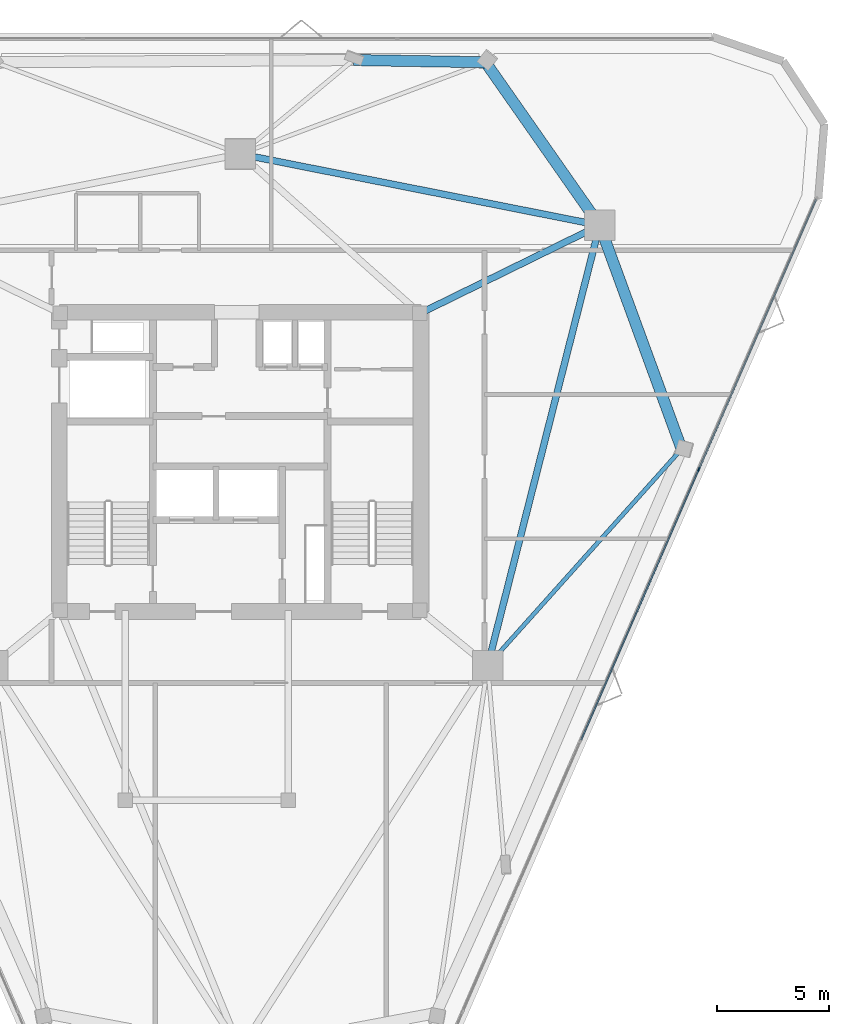
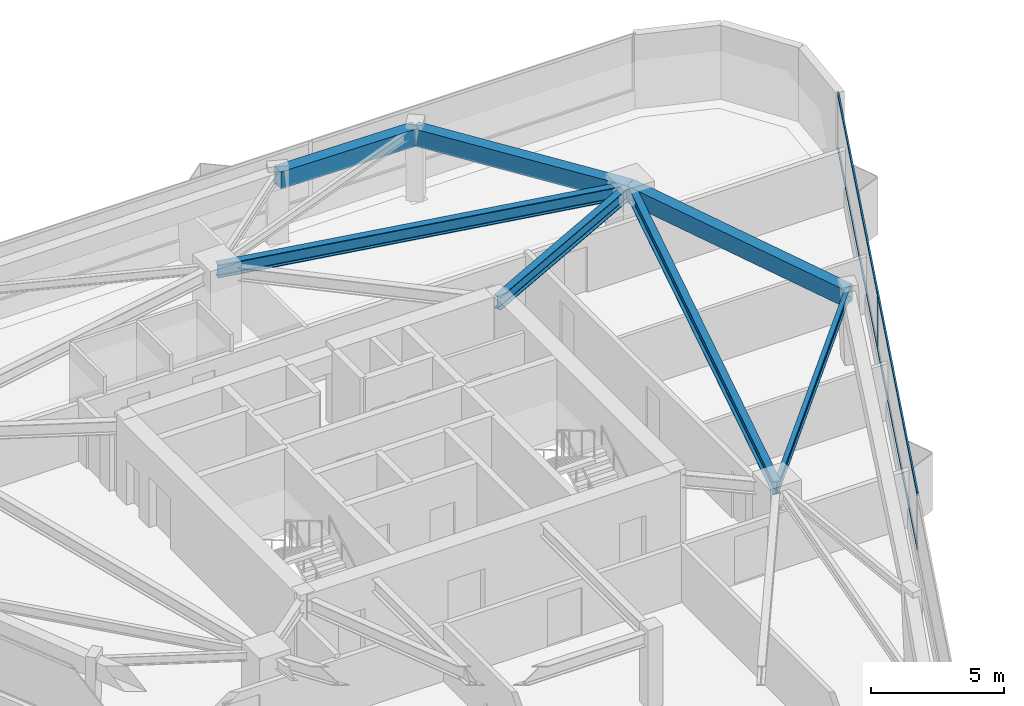
# One storey, part 7 of 13: 7 beams, 5 members, 1 element without a shape of its own.
"""IFC4 building model written with IfcOpenShell, lengths in metres."""

from ifc_helpers import new_model, si_unit, direction, frame, origin, origin_2d, place, context, subcontext, project, spatial, rectangle, i_section, extrude, material, layer, layer_set, material_profile, profile_set, type_object, element, aggregate, save


model = new_model("IFC4")

# Units and contexts
model_context = context("Model", 3, precision=1e-05, world=origin(), true_north=direction((0.0, 1.0)))
body_context = subcontext(model_context, "Body", "Model", "MODEL_VIEW")
ifc_project = project(units=[si_unit("LENGTHUNIT", "METRE"), si_unit("AREAUNIT", "SQUARE_METRE"), si_unit("VOLUMEUNIT", "CUBIC_METRE"), si_unit("PLANEANGLEUNIT", "RADIAN"), si_unit("MASSUNIT", "GRAM", prefix="KILO")], contexts=[model_context])

# Site, building, storey
site_placement = place(None, origin())
site = spatial("IfcSite", under=ifc_project, at=site_placement, CompositionType="ELEMENT")
building_placement = place(site_placement, origin())
building = spatial("IfcBuilding", under=site, at=building_placement, Name="Talyreon Biosciences Tower", CompositionType="ELEMENT")
storey_placement = place(building_placement, frame((0.0, 0.0, 190.35009765625)))
storey = spatial("IfcBuildingStorey", under=building, at=storey_placement, Name="L50", CompositionType="ELEMENT", Elevation=190.35009765625)

# Curtain wall, members
ifc_material_1 = material(Name="Thermally broken aluminium and low-E glazing", Category="aluminium")
ifc_layer = layer(ifc_material_1, 0.179931640625)
ifc_layer_set = layer_set([ifc_layer], Name="Thermally broken aluminium and low-E glazing")
curtain_wall_type = type_object("IfcCurtainWallType", Name="CurtainWall_Zone4Optical", PredefinedType="NOTDEFINED", material=ifc_layer_set)
curtain_wall_placement = place(storey_placement, origin())
curtain_wall = element("IfcCurtainWall", 1, at=curtain_wall_placement, inside=storey, type_object=curtain_wall_type, Name="L50 Unitised Curtain Wall FCW-L50-08", PredefinedType="NOTDEFINED")
ifc_material_2 = material(Name="Anodised thermally broken aluminium", Category="aluminium")
ifc_material_profile_1 = material_profile(ifc_material_2, rectangle(XDim=0.06494140625, YDim=0.179931640625, at=origin_2d()), Name="ALUM MULLION 65x180")
ifc_profile_set_1 = profile_set([ifc_material_profile_1], Name="Anodised thermally broken aluminium")
member_type_1 = type_object("IfcMemberType", Name="CWMullion_65x180", PredefinedType="MULLION", material=ifc_profile_set_1)
member_1_placement = place(storey_placement, frame((86.543212890625, 67.664794921875, 0.809814453125), z_axis=(0.0, 0.0, 1.0), x_axis=(0.917010897502, -0.398862148946, 0.0)))
member_1 = element("IfcMember", 2, at=member_1_placement, type_object=member_type_1, Name="CW5 mullion 2", PredefinedType="MULLION", context=body_context, shape_type="SweptSolid", body=[
    extrude(rectangle(XDim=0.06494140625, YDim=0.179931640625, at=origin_2d()), origin(), (0.0, 0.0, 1.0), 2.590087890625),
])
ifc_material_profile_2 = material_profile(ifc_material_2, rectangle(XDim=0.06494140625, YDim=0.139892578125, at=origin_2d()), Name="ALUM TRANSOM 65x140")
ifc_profile_set_2 = profile_set([ifc_material_profile_2], Name="Anodised thermally broken aluminium")
member_type_2 = type_object("IfcMemberType", Name="CWTransom_65x140", PredefinedType="USERDEFINED", material=ifc_profile_set_2)
member_2_placement = place(storey_placement, frame((91.7998046875, 79.750244140625, 0.84228515625), z_axis=(-0.39885784292, -0.917012770435, 0.0), x_axis=(0.917012770435, -0.39885784292, 0.0)))
member_2 = element("IfcMember", 3, at=member_2_placement, type_object=member_type_2, Name="CW5 transom 1.1", ObjectType="TRANSOM", PredefinedType="USERDEFINED", context=body_context, shape_type="SweptSolid", body=[
    extrude(rectangle(XDim=0.06494140625, YDim=0.139892578125, at=origin_2d()), origin(), (0.0, 0.0, 1.0), 13.146728515625),
])
member_3_placement = place(storey_placement, frame((91.7998046875, 79.750244140625, 3.367431640625), z_axis=(-0.39885784292, -0.917012770435, 0.0), x_axis=(0.917012770435, -0.39885784292, 0.0)))
member_3 = element("IfcMember", 4, at=member_3_placement, type_object=member_type_2, Name="CW5 transom 1.2", ObjectType="TRANSOM", PredefinedType="USERDEFINED", context=body_context, shape_type="SweptSolid", body=[
    extrude(rectangle(XDim=0.06494140625, YDim=0.139892578125, at=origin_2d()), origin(), (0.0, 0.0, 1.0), 13.146728515625),
])
member_4_placement = place(storey_placement, frame((86.5302734375, 67.634765625, 0.84228515625), z_axis=(-0.398872418552, -0.917006430576, 0.0), x_axis=(0.917006430576, -0.398872418552, 0.0)))
member_4 = element("IfcMember", 5, at=member_4_placement, type_object=member_type_2, Name="CW5 transom 2.1", ObjectType="TRANSOM", PredefinedType="USERDEFINED", context=body_context, shape_type="SweptSolid", body=[
    extrude(rectangle(XDim=0.06494140625, YDim=0.139892578125, at=origin_2d()), origin(), (0.0, 0.0, 1.0), 13.17919921875),
])
member_5_placement = place(storey_placement, frame((86.5302734375, 67.634765625, 3.367431640625), z_axis=(-0.398872418552, -0.917006430576, 0.0), x_axis=(0.917006430576, -0.398872418552, 0.0)))
member_5 = element("IfcMember", 6, at=member_5_placement, type_object=member_type_2, Name="CW5 transom 2.2", ObjectType="TRANSOM", PredefinedType="USERDEFINED", context=body_context, shape_type="SweptSolid", body=[
    extrude(rectangle(XDim=0.06494140625, YDim=0.139892578125, at=origin_2d()), origin(), (0.0, 0.0, 1.0), 13.17919921875),
])
aggregate(curtain_wall, [member_1, member_2, member_3, member_4, member_5])

# Beams
ifc_material_3 = material(Name="Precast concrete C45/55", Category="concrete")
ifc_material_profile_3 = material_profile(ifc_material_3, rectangle(XDim=0.5, YDim=0.780029296875, at=origin_2d()), Name="RCB 500x780")
ifc_profile_set_3 = profile_set([ifc_material_profile_3], Name="Precast concrete C45/55")
beam_type_1 = type_object("IfcBeamType", Name="ExpressedSpandrel_500x780", PredefinedType="SPANDREL", material=ifc_profile_set_3)
beam_1_placement = place(storey_placement, frame((85.773193359375, 68.5771484375, 3.010009765625), z_axis=(-0.343953510514, 0.938986678609, 0.0), x_axis=(-0.938986678609, -0.343953510514, 0.0)))
element("IfcBeam", 7, at=beam_1_placement, inside=storey, type_object=beam_type_1, Name="L50 Expressed Horizontal Concrete Spandrel 04", PredefinedType="SPANDREL", context=body_context, shape_type="SweptSolid", body=[
    extrude(rectangle(XDim=0.5, YDim=0.780029296875, at=origin_2d()), origin(), (0.0, 0.0, 1.0), 10.672607421875),
])
beam_2_placement = place(storey_placement, frame((82.102294921875, 78.5986328125, 3.010009765625), z_axis=(-0.573600165594, 0.819135428382, 0.0), x_axis=(-0.819135428382, -0.573600165594, 0.0)))
element("IfcBeam", 8, at=beam_2_placement, inside=storey, type_object=beam_type_1, Name="L50 Expressed Horizontal Concrete Spandrel 05", PredefinedType="SPANDREL", context=body_context, shape_type="SweptSolid", body=[
    extrude(rectangle(XDim=0.5, YDim=0.780029296875, at=origin_2d()), origin(), (0.0, 0.0, 1.0), 8.916015625),
])
beam_3_placement = place(storey_placement, frame((76.988037109375, 85.902099609375, 3.010009765625), z_axis=(-0.999857623663, 0.016874015601, 0.0), x_axis=(-0.016874015601, -0.999857623663, 0.0)))
element("IfcBeam", 9, at=beam_3_placement, inside=storey, type_object=beam_type_1, Name="L50 Expressed Horizontal Concrete Spandrel 06", PredefinedType="SPANDREL", context=body_context, shape_type="SweptSolid", body=[
    extrude(rectangle(XDim=0.5, YDim=0.780029296875, at=origin_2d()), origin(), (0.0, 0.0, 1.0), 5.91748046875),
])
ifc_material_4 = material(Name="Steel SM355", Category="steel")
ifc_material_profile_4 = material_profile(ifc_material_4, i_section(OverallWidth=0.300048828125, OverallDepth=0.60009765625, WebThickness=0.015380859375, FlangeThickness=0.030029296875, FilletRadius=0.027099609375, at=origin_2d()), Name="HE600B")
ifc_profile_set_4 = profile_set([ifc_material_profile_4], Name="Steel SM355")
beam_type_2 = type_object("IfcBeamType", Name="SteelBeam_HE600B", PredefinedType="BEAM", material=ifc_profile_set_4)
beam_4_placement = place(storey_placement, frame((77.086181640625, 58.88037109375, 3.099853515625), z_axis=(0.246537082299, 0.969133358755, 0.0), x_axis=(-0.969133358755, 0.246537082299, 0.0)))
element("IfcBeam", 10, at=beam_4_placement, inside=storey, type_object=beam_type_2, Name="L50 Mega-Ring Girder 2", PredefinedType="BEAM", context=body_context, shape_type="SweptSolid", body=[
    extrude(i_section(OverallWidth=0.300048828125, OverallDepth=0.60009765625, WebThickness=0.015380859375, FlangeThickness=0.030029296875, FilletRadius=0.027099609375, at=origin_2d()), origin(), (0.0, 0.0, 1.0), 20.34619140625),
])
beam_5_placement = place(storey_placement, frame((82.102294921875, 78.5986328125, 3.099853515625), z_axis=(-0.980933730698, 0.194342522311, 0.0), x_axis=(-0.194342522311, -0.980933730698, 0.0)))
element("IfcBeam", 11, at=beam_5_placement, inside=storey, type_object=beam_type_2, Name="L50 Mega-Ring Girder 3", PredefinedType="BEAM", context=body_context, shape_type="SweptSolid", body=[
    extrude(i_section(OverallWidth=0.300048828125, OverallDepth=0.60009765625, WebThickness=0.015380859375, FlangeThickness=0.030029296875, FilletRadius=0.027099609375, at=origin_2d()), origin(), (0.0, 0.0, 1.0), 16.415283203125),
])
beam_6_placement = place(storey_placement, frame((74.050048828125, 74.64990234375, 3.099853515625), z_axis=(0.897852360314, 0.440296648952, 0.0), x_axis=(-0.440296648952, 0.897852360314, 0.0)))
element("IfcBeam", 12, at=beam_6_placement, inside=storey, type_object=beam_type_2, Name="L50 Radial Primary Girder 3", PredefinedType="BEAM", context=body_context, shape_type="SweptSolid", body=[
    extrude(i_section(OverallWidth=0.300048828125, OverallDepth=0.60009765625, WebThickness=0.015380859375, FlangeThickness=0.030029296875, FilletRadius=0.027099609375, at=origin_2d()), origin(), (0.0, 0.0, 1.0), 8.96826171875),
])
ifc_material_profile_5 = material_profile(ifc_material_4, i_section(OverallWidth=0.18994140625, OverallDepth=0.449951171875, WebThickness=0.009521484375, FlangeThickness=0.0146484375, FilletRadius=0.02099609375, at=origin_2d()), Name="IPE450")
ifc_profile_set_5 = profile_set([ifc_material_profile_5], Name="Steel SM355")
beam_type_3 = type_object("IfcBeamType", Name="SteelJoist_IPE450", PredefinedType="JOIST", material=ifc_profile_set_5)
beam_7_placement = place(storey_placement, frame((77.086181640625, 58.88037109375, 3.1748046875), z_axis=(0.667261759546, 0.744823297331, 0.0), x_axis=(-0.744823297331, 0.667261759546, 0.0)))
element("IfcBeam", 13, at=beam_7_placement, inside=storey, type_object=beam_type_3, Name="L50 Radial Composite Floor Joist PC-SE2", PredefinedType="JOIST", context=body_context, shape_type="SweptSolid", body=[
    extrude(i_section(OverallWidth=0.18994140625, OverallDepth=0.449951171875, WebThickness=0.009521484375, FlangeThickness=0.0146484375, FilletRadius=0.02099609375, at=origin_2d()), origin(), (0.0, 0.0, 1.0), 13.018798828125),
])

save(model, "model.ifc")
